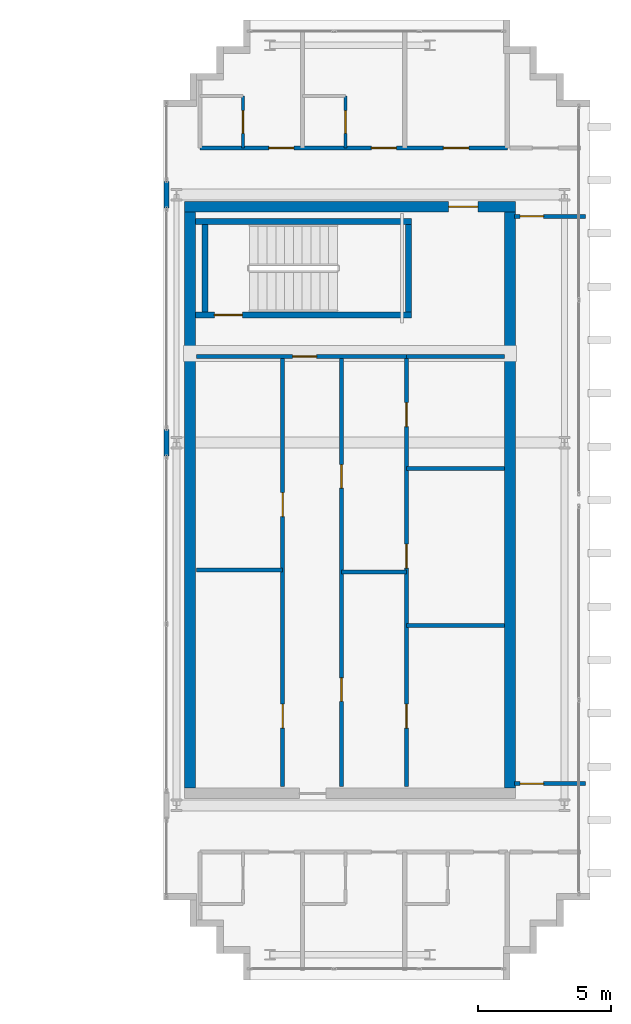
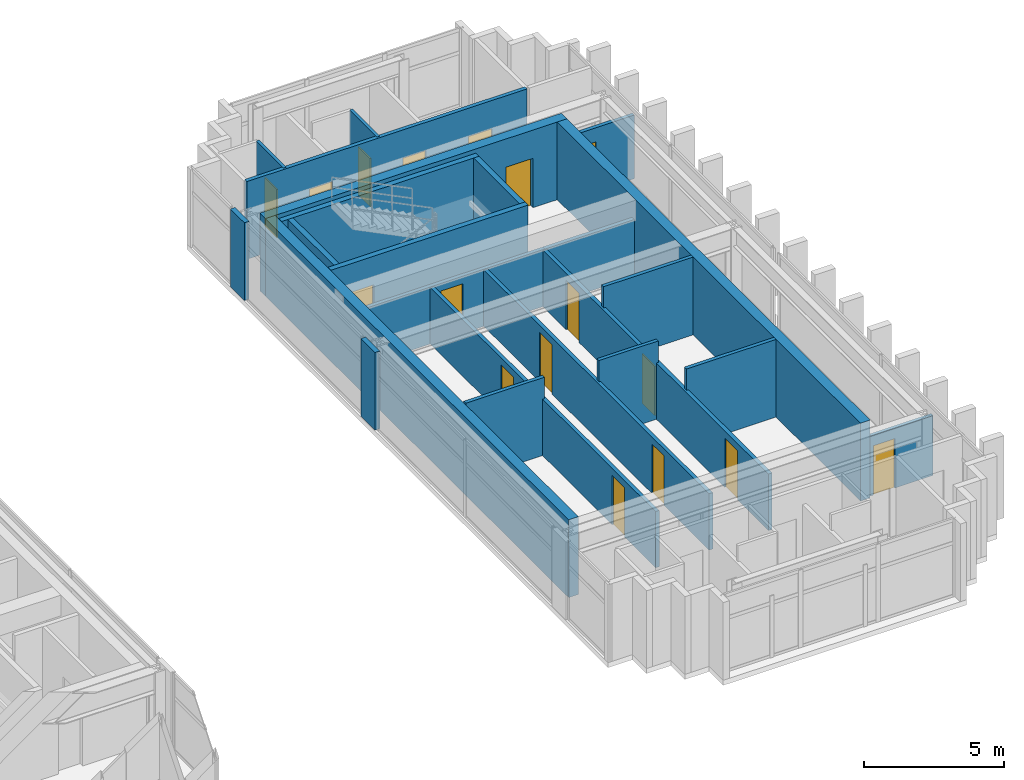
# One storey, part 22 of 25: 23 walls, 17 doors, 17 openings.
"""IFC4 building model written with IfcOpenShell, lengths in metres."""

from ifc_helpers import new_model, si_unit, direction, frame, frame_2d, origin, place, context, subcontext, project, spatial, rectangle, extrude, source, transform, mapped, material, layer, layer_set, type_object, element, fill, save


model = new_model("IFC4")

# Units and contexts
model_context = context("Model", 3, precision=1e-05, world=origin(), true_north=direction((0.0, 1.0)))
body_context = subcontext(model_context, "Body", "Model", "MODEL_VIEW")
ifc_project = project(units=[si_unit("LENGTHUNIT", "METRE"), si_unit("AREAUNIT", "SQUARE_METRE"), si_unit("VOLUMEUNIT", "CUBIC_METRE"), si_unit("PLANEANGLEUNIT", "RADIAN"), si_unit("MASSUNIT", "GRAM", prefix="KILO")], contexts=[model_context])

# Site, building, storey
site_placement = place(None, origin())
site = spatial("IfcSite", under=ifc_project, at=site_placement, CompositionType="ELEMENT")
building_placement = place(site_placement, origin())
building = spatial("IfcBuilding", under=site, at=building_placement, Name="Ocotamira Hotel", CompositionType="ELEMENT")
storey_placement = place(building_placement, frame((0.0, 0.0, 265.199951171875)))
storey = spatial("IfcBuildingStorey", under=building, at=storey_placement, Name="L67", CompositionType="ELEMENT", Elevation=265.199951171875)

# Wall, opening, door
ifc_material_1 = material(Name="Concrete C50/60", Category="concrete")
ifc_layer_1 = layer(ifc_material_1, 0.39990234375)
ifc_layer_set_1 = layer_set([ifc_layer_1], Name="Concrete C50/60")
wall_type_1 = type_object("IfcWallType", Name="WL-CORE-400", PredefinedType="SHEAR", material=ifc_layer_set_1)
wall_1_placement = place(storey_placement, frame((40.800048828125, 37.0, 0.0), z_axis=(0.0, 0.0, 1.0), x_axis=(1.0, 0.0, 0.0)))
wall_1 = element("IfcWall", 1, at=wall_1_placement, inside=storey, type_object=wall_type_1, Name="L67 Shear Core Wall ECORE-N", PredefinedType="SHEAR", context=body_context, shape_type="SweptSolid", body=[
    extrude(rectangle(XDim=12.39990234375, YDim=0.39990234375, at=frame_2d((6.199951171875, 0.0))), origin(), (0.0, 0.0, 1.0), 3.380126953125),
])
opening_1_placement = place(wall_1_placement, frame((9.89990234375, 0.0, 0.0)))
opening_1 = element("IfcOpeningElement", 2, at=opening_1_placement, cuts=wall_1, Name="Opening D-FR1", PredefinedType="OPENING", context=body_context, shape_type="SweptSolid", body=[
    extrude(rectangle(XDim=1.10009765625, YDim=2.14990234375, at=frame_2d((0.550048828125, 1.074951171875))), frame((0.0, 0.2099609375, 0.0), z_axis=(0.0, -1.0, 0.0), x_axis=(1.0, 0.0, 0.0)), (0.0, 0.0, 1.0), 0.419921875),
])
ifc_material_2 = material(Name="Fire-rated acoustic timber-veneer door", Category="wood")
door_type_1 = type_object("IfcDoorType", Name="DR-FIRE-1100", OperationType="NOTDEFINED", PredefinedType="DOOR", material=ifc_material_2)
shared_shape_1 = source(origin(), body_context, "Body", "SweptSolid", [
    extrude(rectangle(XDim=1.10009765625, YDim=2.14990234375, at=frame_2d((0.550048828125, 1.074951171875))), frame((0.0, 0.02490234375, 0.0), z_axis=(0.0, -1.0, 0.0), x_axis=(1.0, 0.0, 0.0)), (0.0, 0.0, 1.0), 0.050048828125),
])
door_1_placement = place(opening_1_placement, origin())
door_1 = element("IfcDoor", 3, at=door_1_placement, inside=storey, type_object=door_type_1, Name="L67 Door ID-L67-ELOB-N-D [ID-L67-ELOB-N-D]", OperationType="SINGLE_SWING_LEFT", OverallHeight=2.14990234375, OverallWidth=1.10009765625, PredefinedType="DOOR", context=body_context, shape_type="MappedRepresentation", body=[
    mapped(shared_shape_1, transform((0.0, 0.0, 0.0), scale=1.0)),
])
fill(opening_1, door_1)

# Walls
for number, where, z_axis, x_axis, name in (
    (4, (41.0, 15.199951171875, 0.0), (0.0, 0.0, 1.0), (0.0, 1.0, 0.0), "L67 Shear Core Wall ECORE-W"),
    (5, (53.0, 15.199951171875, 0.0), (0.0, 0.0, 1.0), (0.0, 1.0, 0.0), "L67 Shear Core Wall ECORE-E"),
):
    element("IfcWall", number, at=place(storey_placement, frame(where, z_axis=z_axis, x_axis=x_axis)), inside=storey, type_object=wall_type_1, Name=name, PredefinedType="SHEAR", context=body_context, shape_type="SweptSolid", body=[
        extrude(rectangle(XDim=21.60009765625, YDim=0.39990234375, at=frame_2d((10.800048828125, 0.0))), origin(), (0.0, 0.0, 1.0), 3.380126953125),
    ])
ifc_material_3 = material(Name="Acoustic double-layer fire gypsum board partition", Category="gypsum")
ifc_layer_2 = layer(ifc_material_3, 0.159912109375)
ifc_layer_set_2 = layer_set([ifc_layer_2], Name="Acoustic double-layer fire gypsum board partition")
wall_type_2 = type_object("IfcWallType", Name="WL-FIRE-160", PredefinedType="PARTITIONING", material=ifc_layer_set_2)
wall_2_placement = place(storey_placement, frame((49.1201171875, 31.3798828125, 0.0), z_axis=(0.0, 0.0, 1.0), x_axis=(1.0, 0.0, 0.0)))
element("IfcWall", 6, at=wall_2_placement, inside=storey, type_object=wall_type_2, Name="L67 Interior Wall PW-L67-EC-FLOW-N", PredefinedType="PARTITIONING", context=body_context, shape_type="SweptSolid", body=[
    extrude(rectangle(XDim=3.679931640625, YDim=0.159912109375, at=frame_2d((1.83984375, 0.0))), origin(), (0.0, 0.0, 1.0), 2.47998046875),
])

# Wall, openings, doors
wall_3_placement = place(storey_placement, frame((49.1201171875, 15.25, 0.0), z_axis=(0.0, 0.0, 1.0), x_axis=(0.0, 1.0, 0.0)))
wall_3 = element("IfcWall", 7, at=wall_3_placement, inside=storey, type_object=wall_type_2, Name="L67 Interior Wall PW-L67-EC-FLOW-W", PredefinedType="PARTITIONING", context=body_context, shape_type="SweptSolid", body=[
    extrude(rectangle(XDim=16.1298828125, YDim=0.159912109375, at=frame_2d((8.06494140625, 0.0))), origin(), (0.0, 0.0, 1.0), 2.453125),
])
opening_2_placement = place(wall_3_placement, frame((2.199951171875, 0.0, 0.0)))
opening_2 = element("IfcOpeningElement", 8, at=opening_2_placement, cuts=wall_3, Name="Opening D-IN3", PredefinedType="OPENING", context=body_context, shape_type="SweptSolid", body=[
    extrude(rectangle(XDim=0.89990234375, YDim=2.14990234375, at=frame_2d((0.449951171875, 1.074951171875))), frame((0.0, 0.08984375, 0.0), z_axis=(0.0, -1.0, 0.0), x_axis=(1.0, 0.0, 0.0)), (0.0, 0.0, 1.0), 0.179931640625),
])
opening_3_placement = place(wall_3_placement, frame((8.199951171875, 0.0, 0.0)))
opening_3 = element("IfcOpeningElement", 9, at=opening_3_placement, cuts=wall_3, Name="Opening D-IN3", PredefinedType="OPENING", context=body_context, shape_type="SweptSolid", body=[
    extrude(rectangle(XDim=0.89990234375, YDim=2.14990234375, at=frame_2d((0.449951171875, 1.074951171875))), frame((0.0, 0.08984375, 0.0), z_axis=(0.0, -1.0, 0.0), x_axis=(1.0, 0.0, 0.0)), (0.0, 0.0, 1.0), 0.179931640625),
])
opening_4_placement = place(wall_3_placement, frame((13.5, 0.0, 0.0)))
opening_4 = element("IfcOpeningElement", 10, at=opening_4_placement, cuts=wall_3, Name="Opening D-IN3", PredefinedType="OPENING", context=body_context, shape_type="SweptSolid", body=[
    extrude(rectangle(XDim=0.89990234375, YDim=2.14990234375, at=frame_2d((0.449951171875, 1.074951171875))), frame((0.0, 0.08984375, 0.0), z_axis=(0.0, -1.0, 0.0), x_axis=(1.0, 0.0, 0.0)), (0.0, 0.0, 1.0), 0.179931640625),
])
ifc_material_4 = material(Name="Painted service room door", Category="steel")
door_type_2 = type_object("IfcDoorType", Name="DR-INT-900", OperationType="NOTDEFINED", PredefinedType="DOOR", material=ifc_material_4)
shared_shape_2 = source(origin(), body_context, "Body", "SweptSolid", [
    extrude(rectangle(XDim=0.89990234375, YDim=2.14990234375, at=frame_2d((0.449951171875, 1.074951171875))), frame((0.0, 0.02490234375, 0.0), z_axis=(0.0, -1.0, 0.0), x_axis=(1.0, 0.0, 0.0)), (0.0, 0.0, 1.0), 0.050048828125),
])
door_2_placement = place(opening_2_placement, origin())
door_2 = element("IfcDoor", 11, at=door_2_placement, inside=storey, type_object=door_type_2, Name="L67 Door ID-L67-EC-FLOW-D1 [ID-L67-EC-FLOW-D1]", OperationType="SINGLE_SWING_LEFT", OverallHeight=2.14990234375, OverallWidth=0.89990234375, PredefinedType="DOOR", context=body_context, shape_type="MappedRepresentation", body=[
    mapped(shared_shape_2, transform((0.0, 0.0, 0.0), scale=1.0)),
])
fill(opening_2, door_2)
door_3_placement = place(opening_3_placement, origin())
door_3 = element("IfcDoor", 12, at=door_3_placement, inside=storey, type_object=door_type_2, Name="L67 Door ID-L67-EC-FLOW-D2 [ID-L67-EC-FLOW-D2]", OperationType="SINGLE_SWING_RIGHT", OverallHeight=2.14990234375, OverallWidth=0.89990234375, PredefinedType="DOOR", context=body_context, shape_type="MappedRepresentation", body=[
    mapped(shared_shape_2, transform((0.0, 0.0, 0.0), scale=1.0)),
])
fill(opening_3, door_3)
door_4_placement = place(opening_4_placement, origin())
door_4 = element("IfcDoor", 13, at=door_4_placement, inside=storey, type_object=door_type_2, Name="L67 Door ID-L67-EC-FLOW-D3 [ID-L67-EC-FLOW-D3]", OperationType="SINGLE_SWING_LEFT", OverallHeight=2.14990234375, OverallWidth=0.89990234375, PredefinedType="DOOR", context=body_context, shape_type="MappedRepresentation", body=[
    mapped(shared_shape_2, transform((0.0, 0.0, 0.0), scale=1.0)),
])
fill(opening_4, door_4)

wall_4_placement = place(storey_placement, frame((41.3798828125, 39.199951171875, 0.0), z_axis=(0.0, 0.0, 1.0), x_axis=(1.0, 0.0, 0.0)))
wall_4 = element("IfcWall", 14, at=wall_4_placement, inside=storey, type_object=wall_type_2, Name="L67 Interior Wall PW-L67-SPE2N-CORRW", PredefinedType="PARTITIONING", context=body_context, shape_type="SweptSolid", body=[
    extrude(rectangle(XDim=11.52001953125, YDim=0.159912109375, at=frame_2d((5.760009765625, 0.0))), origin(), (0.0, 0.0, 1.0), 3.380126953125),
])
opening_5_placement = place(wall_4_placement, frame((2.580078125, 0.0, 0.0)))
opening_5 = element("IfcOpeningElement", 15, at=opening_5_placement, cuts=wall_4, Name="Opening D-GR1", PredefinedType="OPENING", context=body_context, shape_type="SweptSolid", body=[
    extrude(rectangle(XDim=0.93994140625, YDim=2.14990234375, at=frame_2d((0.469970703125, 1.074951171875))), frame((0.0, 0.08984375, 0.0), z_axis=(0.0, -1.0, 0.0), x_axis=(1.0, 0.0, 0.0)), (0.0, 0.0, 1.0), 0.179931640625),
])
opening_6_placement = place(wall_4_placement, frame((6.419921875, 0.0, 0.0)))
opening_6 = element("IfcOpeningElement", 16, at=opening_6_placement, cuts=wall_4, Name="Opening D-GR1", PredefinedType="OPENING", context=body_context, shape_type="SweptSolid", body=[
    extrude(rectangle(XDim=0.93994140625, YDim=2.14990234375, at=frame_2d((0.469970703125, 1.074951171875))), frame((0.0, 0.08984375, 0.0), z_axis=(0.0, -1.0, 0.0), x_axis=(1.0, 0.0, 0.0)), (0.0, 0.0, 1.0), 0.179931640625),
])
opening_7_placement = place(wall_4_placement, frame((9.1201171875, 0.0, 0.0)))
opening_7 = element("IfcOpeningElement", 17, at=opening_7_placement, cuts=wall_4, Name="Opening D-SV4", PredefinedType="OPENING", context=body_context, shape_type="SweptSolid", body=[
    extrude(rectangle(XDim=0.9599609375, YDim=2.14990234375, at=frame_2d((0.47998046875, 1.074951171875))), frame((0.0, 0.08984375, 0.0), z_axis=(0.0, -1.0, 0.0), x_axis=(1.0, 0.0, 0.0)), (0.0, 0.0, 1.0), 0.179931640625),
])
ifc_material_5 = material(Name="Fire-rated accessible walnut salon door", Category="wood")
door_type_3 = type_object("IfcDoorType", Name="DR-SERV-960", OperationType="NOTDEFINED", PredefinedType="DOOR", material=ifc_material_5)
shared_shape_3 = source(origin(), body_context, "Body", "SweptSolid", [
    extrude(rectangle(XDim=0.9599609375, YDim=2.14990234375, at=frame_2d((0.47998046875, 1.074951171875))), frame((0.0, 0.02490234375, 0.0), z_axis=(0.0, -1.0, 0.0), x_axis=(1.0, 0.0, 0.0)), (0.0, 0.0, 1.0), 0.050048828125),
])
door_5_placement = place(opening_7_placement, origin())
door_5 = element("IfcDoor", 18, at=door_5_placement, inside=storey, type_object=door_type_3, Name="L67 Door ID-L67-SPE2N-AMD3 [ID-L67-SPE2N-AMD3]", OperationType="SINGLE_SWING_LEFT", OverallHeight=2.14990234375, OverallWidth=0.9599609375, PredefinedType="DOOR", context=body_context, shape_type="MappedRepresentation", body=[
    mapped(shared_shape_3, transform((0.0, 0.0, 0.0), scale=1.0)),
])
fill(opening_7, door_5)
ifc_material_6 = material(Name="Solid-core walnut suite entrance fire door", Category="wood")
door_type_4 = type_object("IfcDoorType", Name="DR-GUEST-940", OperationType="NOTDEFINED", PredefinedType="DOOR", material=ifc_material_6)
shared_shape_4 = source(origin(), body_context, "Body", "SweptSolid", [
    extrude(rectangle(XDim=0.93994140625, YDim=2.14990234375, at=frame_2d((0.469970703125, 1.074951171875))), frame((0.0, 0.02490234375, 0.0), z_axis=(0.0, -1.0, 0.0), x_axis=(1.0, 0.0, 0.0)), (0.0, 0.0, 1.0), 0.050048828125),
])
door_6_placement = place(opening_5_placement, origin())
door_6 = element("IfcDoor", 19, at=door_6_placement, inside=storey, type_object=door_type_4, Name="L67 Door ID-L67-SPE2N-RMD1 [ID-L67-SPE2N-RMD1]", OperationType="SINGLE_SWING_LEFT", OverallHeight=2.14990234375, OverallWidth=0.93994140625, PredefinedType="DOOR", context=body_context, shape_type="MappedRepresentation", body=[
    mapped(shared_shape_4, transform((0.0, 0.0, 0.0), scale=1.0)),
])
fill(opening_5, door_6)
door_7_placement = place(opening_6_placement, origin())
door_7 = element("IfcDoor", 20, at=door_7_placement, inside=storey, type_object=door_type_4, Name="L67 Door ID-L67-SPE2N-RMD2 [ID-L67-SPE2N-RMD2]", OperationType="SINGLE_SWING_RIGHT", OverallHeight=2.14990234375, OverallWidth=0.93994140625, PredefinedType="DOOR", context=body_context, shape_type="MappedRepresentation", body=[
    mapped(shared_shape_4, transform((0.0, 0.0, 0.0), scale=1.0)),
])
fill(opening_6, door_7)

# Walls
ifc_material_7 = material(Name="Precast concrete C45/55", Category="concrete")
ifc_layer_3 = layer(ifc_material_7, 0.219970703125)
ifc_layer_set_3 = layer_set([ifc_layer_3], Name="Precast concrete C45/55")
wall_type_3 = type_object("IfcWallType", Name="WL-PARA-220", PredefinedType="PARAPET", material=ifc_layer_set_3)
for number, where, z_axis, x_axis, name in (
    (21, (40.1201171875, 27.64990234375, 0.0), (0.0, 0.0, 1.0), (0.0, 1.0, 0.0), "L67 Split-Wing Column Spandrel Closure E2"),
    (22, (40.1201171875, 36.949951171875, 0.0), (0.0, 0.0, 1.0), (0.0, 1.0, 0.0), "L67 Split-Wing Column Spandrel Closure E3"),
):
    element("IfcWall", number, at=place(storey_placement, frame(where, z_axis=z_axis, x_axis=x_axis)), inside=storey, type_object=wall_type_3, Name=name, PredefinedType="PARAPET", context=body_context, shape_type="SweptSolid", body=[
        extrude(rectangle(XDim=1.0, YDim=0.199951171875, at=frame_2d((0.5, 0.0))), origin(), (0.0, 0.0, 1.0), 3.380126953125),
    ])

# Wall, opening, door
ifc_material_8 = material(Name="Moisture-resistant en-suite tile and gypsum partition", Category="gypsum")
ifc_layer_4 = layer(ifc_material_8, 0.1201171875)
ifc_layer_set_4 = layer_set([ifc_layer_4], Name="Moisture-resistant en-suite tile and gypsum partition")
wall_type_4 = type_object("IfcWallType", Name="WL-PART-120", PredefinedType="PARTITIONING", material=ifc_layer_set_4)
wall_5_placement = place(storey_placement, frame((42.989990234375, 39.199951171875, 0.0), z_axis=(0.0, 0.0, 1.0), x_axis=(0.0, 1.0, 0.0)))
wall_5 = element("IfcWall", 23, at=wall_5_placement, inside=storey, type_object=wall_type_4, Name="L67 Interior Wall PW-L67-SPE2N-BAE1", PredefinedType="PARTITIONING", context=body_context, shape_type="SweptSolid", body=[
    extrude(rectangle(XDim=1.949951171875, YDim=0.1201171875, at=frame_2d((0.97509765625, 0.0))), origin(), (0.0, 0.0, 1.0), 3.380126953125),
])
opening_8_placement = place(wall_5_placement, frame((0.544921875, 0.0, 0.0)))
opening_8 = element("IfcOpeningElement", 24, at=opening_8_placement, cuts=wall_5, Name="Opening D-BA1", PredefinedType="OPENING", context=body_context, shape_type="SweptSolid", body=[
    extrude(rectangle(XDim=0.860107421875, YDim=2.10009765625, at=frame_2d((0.43017578125, 1.050048828125))), frame((0.0, 0.070068359375, 0.0), z_axis=(0.0, -1.0, 0.0), x_axis=(1.0, 0.0, 0.0)), (0.0, 0.0, 1.0), 0.14013671875),
])
ifc_material_9 = material(Name="Moisture-sealed en-suite timber door", Category="wood")
door_type_5 = type_object("IfcDoorType", Name="DR-BATH-860", OperationType="NOTDEFINED", PredefinedType="DOOR", material=ifc_material_9)
shared_shape_5 = source(origin(), body_context, "Body", "SweptSolid", [
    extrude(rectangle(XDim=0.860107421875, YDim=2.10009765625, at=frame_2d((0.43017578125, 1.050048828125))), frame((0.0, 0.02490234375, 0.0), z_axis=(0.0, -1.0, 0.0), x_axis=(1.0, 0.0, 0.0)), (0.0, 0.0, 1.0), 0.050048828125),
])
door_8_placement = place(opening_8_placement, origin())
door_8 = element("IfcDoor", 25, at=door_8_placement, inside=storey, type_object=door_type_5, Name="L67 Door ID-L67-SPE2N-BAD1 [ID-L67-SPE2N-BAD1]", OperationType="SINGLE_SWING_RIGHT", OverallHeight=2.10009765625, OverallWidth=0.860107421875, PredefinedType="DOOR", context=body_context, shape_type="MappedRepresentation", body=[
    mapped(shared_shape_5, transform((0.0, 0.0, 0.0), scale=1.0)),
])
fill(opening_8, door_8)

wall_6_placement = place(storey_placement, frame((46.830078125, 39.199951171875, 0.0), z_axis=(0.0, 0.0, 1.0), x_axis=(0.0, 1.0, 0.0)))
wall_6 = element("IfcWall", 26, at=wall_6_placement, inside=storey, type_object=wall_type_4, Name="L67 Interior Wall PW-L67-SPE2N-BAE2", PredefinedType="PARTITIONING", context=body_context, shape_type="SweptSolid", body=[
    extrude(rectangle(XDim=1.949951171875, YDim=0.1201171875, at=frame_2d((0.97509765625, 0.0))), origin(), (0.0, 0.0, 1.0), 3.380126953125),
])
opening_9_placement = place(wall_6_placement, frame((0.544921875, 0.0, 0.0)))
opening_9 = element("IfcOpeningElement", 27, at=opening_9_placement, cuts=wall_6, Name="Opening D-BA1", PredefinedType="OPENING", context=body_context, shape_type="SweptSolid", body=[
    extrude(rectangle(XDim=0.860107421875, YDim=2.10009765625, at=frame_2d((0.43017578125, 1.050048828125))), frame((0.0, 0.070068359375, 0.0), z_axis=(0.0, -1.0, 0.0), x_axis=(1.0, 0.0, 0.0)), (0.0, 0.0, 1.0), 0.14013671875),
])
door_9_placement = place(opening_9_placement, origin())
door_9 = element("IfcDoor", 28, at=door_9_placement, inside=storey, type_object=door_type_5, Name="L67 Door ID-L67-SPE2N-BAD2 [ID-L67-SPE2N-BAD2]", OperationType="SINGLE_SWING_LEFT", OverallHeight=2.10009765625, OverallWidth=0.860107421875, PredefinedType="DOOR", context=body_context, shape_type="MappedRepresentation", body=[
    mapped(shared_shape_5, transform((0.0, 0.0, 0.0), scale=1.0)),
])
fill(opening_9, door_9)

# Wall
ifc_material_10 = material(Name="Acoustic hospitality gypsum board partition", Category="gypsum")
ifc_layer_5 = layer(ifc_material_10, 0.14208984375)
ifc_layer_set_5 = layer_set([ifc_layer_5], Name="Acoustic hospitality gypsum board partition")
wall_type_5 = type_object("IfcWallType", Name="WL-PART-142", PredefinedType="PARTITIONING", material=ifc_layer_set_5)
wall_7_placement = place(storey_placement, frame((46.679931640625, 23.300048828125, 0.0), z_axis=(0.0, 0.0, 1.0), x_axis=(1.0, 0.0, 0.0)))
element("IfcWall", 29, at=wall_7_placement, inside=storey, type_object=wall_type_5, Name="L67 Interior Wall PW-L67-EC-HDIV", PredefinedType="PARTITIONING", context=body_context, shape_type="SweptSolid", body=[
    extrude(rectangle(XDim=2.440185546875, YDim=0.14208984375, at=frame_2d((1.22021484375, 0.0))), origin(), (0.0, 0.0, 1.0), 3.380126953125),
])

# Wall, opening, door
ifc_layer_6 = layer(ifc_material_10, 0.14990234375)
ifc_layer_set_6 = layer_set([ifc_layer_6], Name="Acoustic hospitality gypsum board partition")
wall_type_6 = type_object("IfcWallType", Name="WL-PART-150", PredefinedType="PARTITIONING", material=ifc_layer_set_6)
wall_8_placement = place(storey_placement, frame((41.25, 31.3798828125, 0.0), z_axis=(0.0, 0.0, 1.0), x_axis=(1.0, 0.0, 0.0)))
wall_8 = element("IfcWall", 30, at=wall_8_placement, inside=storey, type_object=wall_type_6, Name="L67 Interior Wall PW-L67-EC-HMT-N", PredefinedType="PARTITIONING", context=body_context, shape_type="SweptSolid", body=[
    extrude(rectangle(XDim=7.8701171875, YDim=0.14990234375, at=frame_2d((3.93505859375, 0.0))), origin(), (0.0, 0.0, 1.0), 2.47998046875),
])
opening_10_placement = place(wall_8_placement, frame((3.60009765625, 0.0, 0.0)))
opening_10 = element("IfcOpeningElement", 31, at=opening_10_placement, cuts=wall_8, Name="Opening D-IN3", PredefinedType="OPENING", context=body_context, shape_type="SweptSolid", body=[
    extrude(rectangle(XDim=0.89990234375, YDim=2.14990234375, at=frame_2d((0.449951171875, 1.074951171875))), frame((0.0, 0.0849609375, 0.0), z_axis=(0.0, -1.0, 0.0), x_axis=(1.0, 0.0, 0.0)), (0.0, 0.0, 1.0), 0.169921875),
])
door_10_placement = place(opening_10_placement, origin())
door_10 = element("IfcDoor", 32, at=door_10_placement, inside=storey, type_object=door_type_2, Name="L67 Door ID-L67-EC-MGALD [ID-L67-EC-MGALD]", OperationType="SINGLE_SWING_LEFT", OverallHeight=2.14990234375, OverallWidth=0.89990234375, PredefinedType="DOOR", context=body_context, shape_type="MappedRepresentation", body=[
    mapped(shared_shape_2, transform((0.0, 0.0, 0.0), scale=1.0)),
])
fill(opening_10, door_10)

# Wall, openings, doors
wall_9_placement = place(storey_placement, frame((46.679931640625, 15.25, 0.0), z_axis=(0.0, 0.0, 1.0), x_axis=(0.0, 1.0, 0.0)))
wall_9 = element("IfcWall", 33, at=wall_9_placement, inside=storey, type_object=wall_type_6, Name="L67 Interior Wall PW-L67-EC-HMT-W", PredefinedType="PARTITIONING", context=body_context, shape_type="SweptSolid", body=[
    extrude(rectangle(XDim=16.1298828125, YDim=0.14990234375, at=frame_2d((8.06494140625, 0.0))), origin(), (0.0, 0.0, 1.0), 2.453125),
])
opening_11_placement = place(wall_9_placement, frame((3.199951171875, 0.0, 0.0)))
opening_11 = element("IfcOpeningElement", 34, at=opening_11_placement, cuts=wall_9, Name="Opening D-SV2", PredefinedType="OPENING", context=body_context, shape_type="SweptSolid", body=[
    extrude(rectangle(XDim=0.8798828125, YDim=2.14990234375, at=frame_2d((0.43994140625, 1.074951171875))), frame((0.0, 0.0849609375, 0.0), z_axis=(0.0, -1.0, 0.0), x_axis=(1.0, 0.0, 0.0)), (0.0, 0.0, 1.0), 0.169921875),
])
opening_12_placement = place(wall_9_placement, frame((11.199951171875, 0.0, 0.0)))
opening_12 = element("IfcOpeningElement", 35, at=opening_12_placement, cuts=wall_9, Name="Opening D-SV2", PredefinedType="OPENING", context=body_context, shape_type="SweptSolid", body=[
    extrude(rectangle(XDim=0.8798828125, YDim=2.14990234375, at=frame_2d((0.43994140625, 1.074951171875))), frame((0.0, 0.0849609375, 0.0), z_axis=(0.0, -1.0, 0.0), x_axis=(1.0, 0.0, 0.0)), (0.0, 0.0, 1.0), 0.169921875),
])
ifc_material_11 = material(Name="Fire-rated painted steel service door", Category="steel")
door_type_6 = type_object("IfcDoorType", Name="DR-SERV-880", OperationType="NOTDEFINED", PredefinedType="DOOR", material=ifc_material_11)
shared_shape_6 = source(origin(), body_context, "Body", "SweptSolid", [
    extrude(rectangle(XDim=0.8798828125, YDim=2.14990234375, at=frame_2d((0.43994140625, 1.074951171875))), frame((0.0, 0.02490234375, 0.0), z_axis=(0.0, -1.0, 0.0), x_axis=(1.0, 0.0, 0.0)), (0.0, 0.0, 1.0), 0.050048828125),
])
door_11_placement = place(opening_11_placement, origin())
door_11 = element("IfcDoor", 36, at=door_11_placement, inside=storey, type_object=door_type_6, Name="L67 Door ID-L67-EC-HMTD1 [ID-L67-EC-HMTD1]", OperationType="SINGLE_SWING_RIGHT", OverallHeight=2.14990234375, OverallWidth=0.8798828125, PredefinedType="DOOR", context=body_context, shape_type="MappedRepresentation", body=[
    mapped(shared_shape_6, transform((0.0, 0.0, 0.0), scale=1.0)),
])
fill(opening_11, door_11)
door_12_placement = place(opening_12_placement, origin())
door_12 = element("IfcDoor", 37, at=door_12_placement, inside=storey, type_object=door_type_6, Name="L67 Door ID-L67-EC-HMTD2 [ID-L67-EC-HMTD2]", OperationType="SINGLE_SWING_LEFT", OverallHeight=2.14990234375, OverallWidth=0.8798828125, PredefinedType="DOOR", context=body_context, shape_type="MappedRepresentation", body=[
    mapped(shared_shape_6, transform((0.0, 0.0, 0.0), scale=1.0)),
])
fill(opening_12, door_12)

# Walls
for number, where, z_axis, x_axis, name in (
    (38, (49.1201171875, 21.2900390625, 0.0), (0.0, 0.0, 1.0), (1.0, 0.0, 0.0), "L67 Interior Wall PW-L67-EC-FDIV1"),
    (39, (49.1201171875, 27.18994140625, 0.0), (0.0, 0.0, 1.0), (1.0, 0.0, 0.0), "L67 Interior Wall PW-L67-EC-FDIV2"),
):
    element("IfcWall", number, at=place(storey_placement, frame(where, z_axis=z_axis, x_axis=x_axis)), inside=storey, type_object=wall_type_6, Name=name, PredefinedType="PARTITIONING", context=body_context, shape_type="SweptSolid", body=[
        extrude(rectangle(XDim=3.679931640625, YDim=0.14990234375, at=frame_2d((1.83984375, 0.0))), origin(), (0.0, 0.0, 1.0), 3.380126953125),
    ])
wall_10_placement = place(storey_placement, frame((41.25, 23.3798828125, 0.0), z_axis=(0.0, 0.0, 1.0), x_axis=(1.0, 0.0, 0.0)))
element("IfcWall", 40, at=wall_10_placement, inside=storey, type_object=wall_type_6, Name="L67 Interior Wall PW-L67-EC-FMID-DIV", PredefinedType="PARTITIONING", context=body_context, shape_type="SweptSolid", body=[
    extrude(rectangle(XDim=3.22998046875, YDim=0.14990234375, at=frame_2d((1.614990234375, 0.0))), origin(), (0.0, 0.0, 1.0), 3.380126953125),
])

# Wall, openings, doors
wall_11_placement = place(storey_placement, frame((44.47998046875, 15.25, 0.0), z_axis=(0.0, 0.0, 1.0), x_axis=(0.0, 1.0, 0.0)))
wall_11 = element("IfcWall", 41, at=wall_11_placement, inside=storey, type_object=wall_type_6, Name="L67 Interior Wall PW-L67-EC-FMID-E", PredefinedType="PARTITIONING", context=body_context, shape_type="SweptSolid", body=[
    extrude(rectangle(XDim=16.1298828125, YDim=0.14990234375, at=frame_2d((8.06494140625, 0.0))), origin(), (0.0, 0.0, 1.0), 2.453125),
])
opening_13_placement = place(wall_11_placement, frame((2.199951171875, 0.0, 0.0)))
opening_13 = element("IfcOpeningElement", 42, at=opening_13_placement, cuts=wall_11, Name="Opening D-IN3", PredefinedType="OPENING", context=body_context, shape_type="SweptSolid", body=[
    extrude(rectangle(XDim=0.89990234375, YDim=2.14990234375, at=frame_2d((0.449951171875, 1.074951171875))), frame((0.0, 0.0849609375, 0.0), z_axis=(0.0, -1.0, 0.0), x_axis=(1.0, 0.0, 0.0)), (0.0, 0.0, 1.0), 0.169921875),
])
opening_14_placement = place(wall_11_placement, frame((10.1298828125, 0.0, 0.0)))
opening_14 = element("IfcOpeningElement", 43, at=opening_14_placement, cuts=wall_11, Name="Opening D-IN3", PredefinedType="OPENING", context=body_context, shape_type="SweptSolid", body=[
    extrude(rectangle(XDim=0.89990234375, YDim=2.14990234375, at=frame_2d((0.449951171875, 1.074951171875))), frame((0.0, 0.0849609375, 0.0), z_axis=(0.0, -1.0, 0.0), x_axis=(1.0, 0.0, 0.0)), (0.0, 0.0, 1.0), 0.169921875),
])
door_13_placement = place(opening_13_placement, origin())
door_13 = element("IfcDoor", 44, at=door_13_placement, inside=storey, type_object=door_type_2, Name="L67 Door ID-L67-EC-FMID-D1 [ID-L67-EC-FMID-D1]", OperationType="SINGLE_SWING_RIGHT", OverallHeight=2.14990234375, OverallWidth=0.89990234375, PredefinedType="DOOR", context=body_context, shape_type="MappedRepresentation", body=[
    mapped(shared_shape_2, transform((0.0, 0.0, 0.0), scale=1.0)),
])
fill(opening_13, door_13)
door_14_placement = place(opening_14_placement, origin())
door_14 = element("IfcDoor", 45, at=door_14_placement, inside=storey, type_object=door_type_2, Name="L67 Door ID-L67-EC-FMID-D2 [ID-L67-EC-FMID-D2]", OperationType="SINGLE_SWING_LEFT", OverallHeight=2.14990234375, OverallWidth=0.89990234375, PredefinedType="DOOR", context=body_context, shape_type="MappedRepresentation", body=[
    mapped(shared_shape_2, transform((0.0, 0.0, 0.0), scale=1.0)),
])
fill(opening_14, door_14)

# Wall, opening, door
wall_12_placement = place(storey_placement, frame((53.179931640625, 15.360107421875, 0.0), z_axis=(0.0, 0.0, 1.0), x_axis=(1.0, 0.0, 0.0)))
wall_12 = element("IfcWall", 46, at=wall_12_placement, inside=storey, type_object=wall_type_6, Name="L67 Interior Wall PW-L67-SP2E-WS", PredefinedType="PARTITIONING", context=body_context, shape_type="SweptSolid", body=[
    extrude(rectangle(XDim=2.66015625, YDim=0.14990234375, at=frame_2d((1.330078125, 0.0))), origin(), (0.0, 0.0, 1.0), 2.60107421875),
])
opening_15_placement = place(wall_12_placement, frame((0.199951171875, 0.0, 0.0)))
opening_15 = element("IfcOpeningElement", 47, at=opening_15_placement, cuts=wall_12, Name="Opening D-SV2", PredefinedType="OPENING", context=body_context, shape_type="SweptSolid", body=[
    extrude(rectangle(XDim=0.8798828125, YDim=2.14990234375, at=frame_2d((0.43994140625, 1.074951171875))), frame((0.0, 0.0849609375, 0.0), z_axis=(0.0, -1.0, 0.0), x_axis=(1.0, 0.0, 0.0)), (0.0, 0.0, 1.0), 0.169921875),
])
door_15_placement = place(opening_15_placement, origin())
door_15 = element("IfcDoor", 48, at=door_15_placement, inside=storey, type_object=door_type_6, Name="L67 Door ID-L67-SP2E-DS [ID-L67-SP2E-DS]", OperationType="SINGLE_SWING_RIGHT", OverallHeight=2.14990234375, OverallWidth=0.8798828125, PredefinedType="DOOR", context=body_context, shape_type="MappedRepresentation", body=[
    mapped(shared_shape_6, transform((0.0, 0.0, 0.0), scale=1.0)),
])
fill(opening_15, door_15)

wall_13_placement = place(storey_placement, frame((53.179931640625, 36.639892578125, 0.0), z_axis=(0.0, 0.0, 1.0), x_axis=(1.0, 0.0, 0.0)))
wall_13 = element("IfcWall", 49, at=wall_13_placement, inside=storey, type_object=wall_type_6, Name="L67 Interior Wall PW-L67-SP2E-WN", PredefinedType="PARTITIONING", context=body_context, shape_type="SweptSolid", body=[
    extrude(rectangle(XDim=2.66015625, YDim=0.14990234375, at=frame_2d((1.330078125, 0.0))), origin(), (0.0, 0.0, 1.0), 2.762939453125),
])
opening_16_placement = place(wall_13_placement, frame((0.199951171875, 0.0, 0.0)))
opening_16 = element("IfcOpeningElement", 50, at=opening_16_placement, cuts=wall_13, Name="Opening D-SV2", PredefinedType="OPENING", context=body_context, shape_type="SweptSolid", body=[
    extrude(rectangle(XDim=0.8798828125, YDim=2.14990234375, at=frame_2d((0.43994140625, 1.074951171875))), frame((0.0, 0.0849609375, 0.0), z_axis=(0.0, -1.0, 0.0), x_axis=(1.0, 0.0, 0.0)), (0.0, 0.0, 1.0), 0.169921875),
])
door_16_placement = place(opening_16_placement, origin())
door_16 = element("IfcDoor", 51, at=door_16_placement, inside=storey, type_object=door_type_6, Name="L67 Door ID-L67-SP2E-DN [ID-L67-SP2E-DN]", OperationType="SINGLE_SWING_LEFT", OverallHeight=2.14990234375, OverallWidth=0.8798828125, PredefinedType="DOOR", context=body_context, shape_type="MappedRepresentation", body=[
    mapped(shared_shape_6, transform((0.0, 0.0, 0.0), scale=1.0)),
])
fill(opening_16, door_16)

ifc_layer_7 = layer(ifc_material_1, 0.219970703125)
ifc_layer_set_7 = layer_set([ifc_layer_7], Name="Concrete C50/60")
wall_type_7 = type_object("IfcWallType", Name="WL-STAIR-220", PredefinedType="SHEAR", material=ifc_layer_set_7)
wall_14_placement = place(storey_placement, frame((41.199951171875, 32.93994140625, 0.0), z_axis=(0.0, 0.0, 1.0), x_axis=(1.0, 0.0, 0.0)))
wall_14 = element("IfcWall", 52, at=wall_14_placement, inside=storey, type_object=wall_type_7, Name="L67 Stair Shaft Structural Wall ST-4-S", PredefinedType="SHEAR", context=body_context, shape_type="SweptSolid", body=[
    extrude(rectangle(XDim=8.110107421875, YDim=0.219970703125, at=frame_2d((4.05517578125, 0.0))), origin(), (0.0, 0.0, 1.0), 3.400146484375),
])
opening_17_placement = place(wall_14_placement, frame((0.719970703125, 0.0, 0.0)))
opening_17 = element("IfcOpeningElement", 53, at=opening_17_placement, cuts=wall_14, Name="Opening D-ST2", PredefinedType="OPENING", context=body_context, shape_type="SweptSolid", body=[
    extrude(rectangle(XDim=1.050048828125, YDim=2.14990234375, at=frame_2d((0.52490234375, 1.074951171875))), frame((0.0, 0.1201171875, 0.0), z_axis=(0.0, -1.0, 0.0), x_axis=(1.0, 0.0, 0.0)), (0.0, 0.0, 1.0), 0.239990234375),
])
ifc_material_12 = material(Name="Insulated painted hollow-metal fire exit door", Category="steel")
door_type_7 = type_object("IfcDoorType", Name="DR-STAIR-1050", OperationType="NOTDEFINED", PredefinedType="DOOR", material=ifc_material_12)
shared_shape_7 = source(origin(), body_context, "Body", "SweptSolid", [
    extrude(rectangle(XDim=1.050048828125, YDim=2.14990234375, at=frame_2d((0.52490234375, 1.074951171875))), frame((0.0, 0.02490234375, 0.0), z_axis=(0.0, -1.0, 0.0), x_axis=(1.0, 0.0, 0.0)), (0.0, 0.0, 1.0), 0.050048828125),
])
door_17_placement = place(opening_17_placement, origin())
door_17 = element("IfcDoor", 54, at=door_17_placement, inside=storey, type_object=door_type_7, Name="L67 Door ID-L67-STD-ST-4 [ID-L67-STD-ST-4]", OperationType="SINGLE_SWING_LEFT", OverallHeight=2.14990234375, OverallWidth=1.050048828125, PredefinedType="DOOR", context=body_context, shape_type="MappedRepresentation", body=[
    mapped(shared_shape_7, transform((0.0, 0.0, 0.0), scale=1.0)),
])
fill(opening_17, door_17)

# Walls
wall_15_placement = place(storey_placement, frame((41.199951171875, 36.43994140625, 0.0), z_axis=(0.0, 0.0, 1.0), x_axis=(1.0, 0.0, 0.0)))
element("IfcWall", 55, at=wall_15_placement, inside=storey, type_object=wall_type_7, Name="L67 Stair Shaft Structural Wall ST-4-N", PredefinedType="SHEAR", context=body_context, shape_type="SweptSolid", body=[
    extrude(rectangle(XDim=8.110107421875, YDim=0.219970703125, at=frame_2d((4.05517578125, 0.0))), origin(), (0.0, 0.0, 1.0), 3.400146484375),
])
for number, where, z_axis, x_axis, name in (
    (56, (41.56005859375, 33.050048828125, 0.0), (0.0, 0.0, 1.0), (0.0, 1.0, 0.0), "L67 Stair Shaft Structural Wall ST-4-W"),
    (57, (49.199951171875, 33.050048828125, 0.0), (0.0, 0.0, 1.0), (0.0, 1.0, 0.0), "L67 Stair Shaft Structural Wall ST-4-E"),
):
    element("IfcWall", number, at=place(storey_placement, frame(where, z_axis=z_axis, x_axis=x_axis)), inside=storey, type_object=wall_type_7, Name=name, PredefinedType="SHEAR", context=body_context, shape_type="SweptSolid", body=[
        extrude(rectangle(XDim=3.280029296875, YDim=0.219970703125, at=frame_2d((1.64013671875, 0.0))), origin(), (0.0, 0.0, 1.0), 3.400146484375),
    ])

save(model, "model.ifc")
